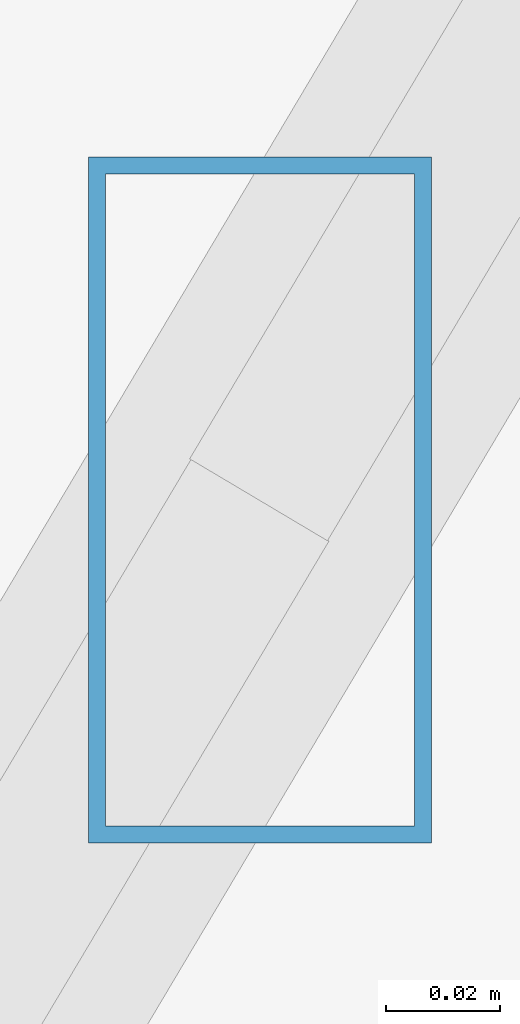
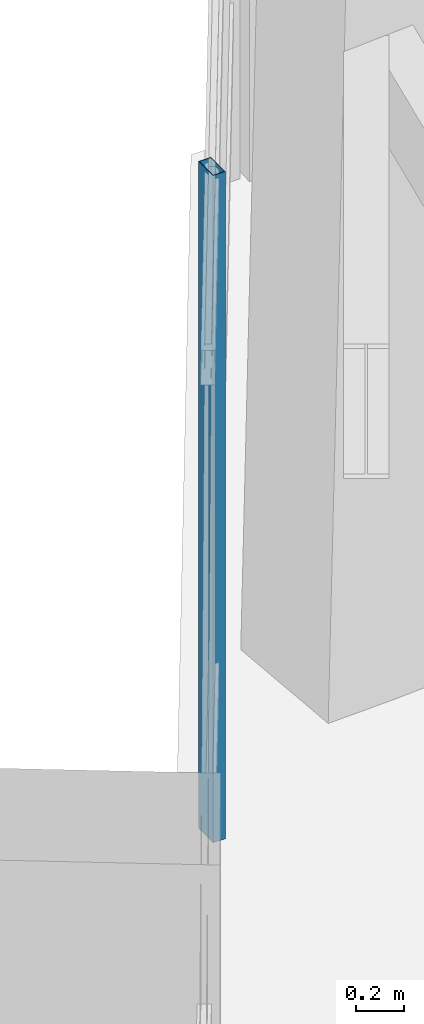
# One storey, part 33 of 46: 1 member, 1 element without a shape of its own.
"""IFC4 building model written with IfcOpenShell, lengths in metres."""

from ifc_helpers import new_model, si_unit, direction, frame, origin, origin_2d, place, context, subcontext, project, spatial, hollow_rectangle, extrude, source, transform, mapped, material, material_profile, profile_set, type_object, type_shapes, element, aggregate, save


model = new_model("IFC4")

# Units and contexts
model_context = context("Model", 3, precision=1e-05, world=origin(), true_north=direction((0.0, 1.0)))
body_context = subcontext(model_context, "Body", "Model", "MODEL_VIEW")
ifc_project = project(units=[si_unit("LENGTHUNIT", "METRE"), si_unit("AREAUNIT", "SQUARE_METRE"), si_unit("VOLUMEUNIT", "CUBIC_METRE"), si_unit("PLANEANGLEUNIT", "RADIAN"), si_unit("MASSUNIT", "GRAM", prefix="KILO")], contexts=[model_context])

# Site, building, storey
site_placement = place(None, origin())
site = spatial("IfcSite", under=ifc_project, at=site_placement, CompositionType="ELEMENT")
building_placement = place(site_placement, origin())
building = spatial("IfcBuilding", under=site, at=building_placement, Name="Caelisora Broadcast Tower", CompositionType="ELEMENT")
storey_placement = place(building_placement, frame((0.0, 0.0, 237.14990234375)))
storey = spatial("IfcBuildingStorey", under=building, at=storey_placement, Name="L62", CompositionType="ELEMENT", Elevation=237.14990234375)

# Curtain wall, member
ifc_material_1 = material(Name="Unitised Aluminium and Low-E Glass Curtain Wall", Category="glass")
curtain_wall_type = type_object("IfcCurtainWallType", Name="CW-Z5", PredefinedType="NOTDEFINED", material=ifc_material_1)
curtain_wall_placement = place(storey_placement, origin())
curtain_wall = element("IfcCurtainWall", 1, at=curtain_wall_placement, inside=storey, type_object=curtain_wall_type, Name="L62 curtain wall CW-Z5", PredefinedType="NOTDEFINED")
ifc_material_2 = material(Name="Aluminium 6063-T6 Anodised Terracotta Bronze", Category="aluminium")
ifc_material_profile = material_profile(ifc_material_2, hollow_rectangle(XDim=0.06005859375, YDim=0.1201171875, WallThickness=0.0029296875, at=origin_2d()), Name="Aluminium 6063-T6 Anodised Terracotta Bronze")
ifc_profile_set = profile_set([ifc_material_profile], Name="Aluminium 6063-T6 Anodised Terracotta Bronze")
member_type = type_object("IfcMemberType", Name="CWM-04", PredefinedType="MULLION", material=ifc_profile_set)
shared_shape = source(origin(), body_context, "Body", "SweptSolid", [
    extrude(hollow_rectangle(XDim=0.06005859375, YDim=0.1201171875, WallThickness=0.0029296875, at=origin_2d()), origin(), (0.0, 0.0, 1.0), 3.400146484375),
])
type_shapes(member_type, [shared_shape])
member_placement = place(storey_placement, frame((32.578369140625, 45.85107421875, 0.0), z_axis=(0.0, 0.0, 1.0), x_axis=(1.0, 0.0, 0.0)))
member = element("IfcMember", 2, at=member_placement, type_object=member_type, Name="L62-CW-B11 mullion #2", PredefinedType="MULLION", context=body_context, shape_type="MappedRepresentation", body=[
    mapped(shared_shape, transform((0.0, 0.0, 0.0), scale=1.0)),
])
aggregate(curtain_wall, [member])

save(model, "model.ifc")
